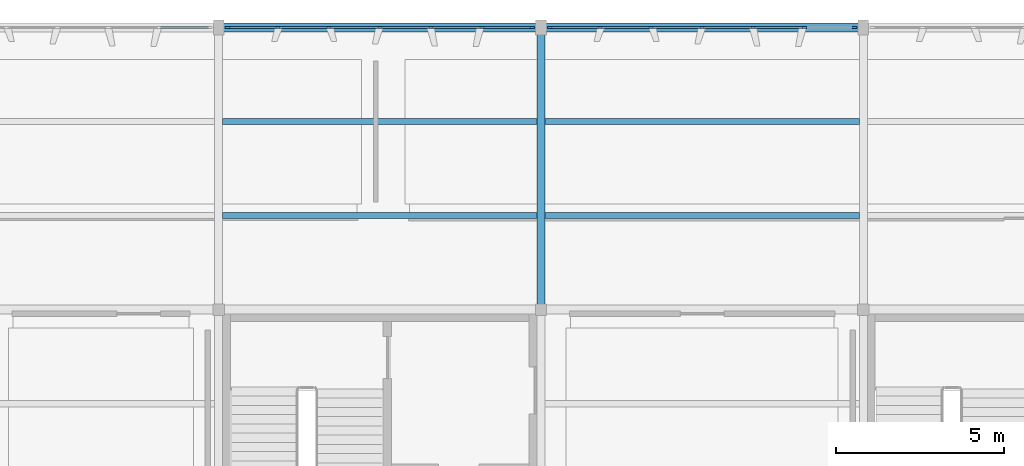
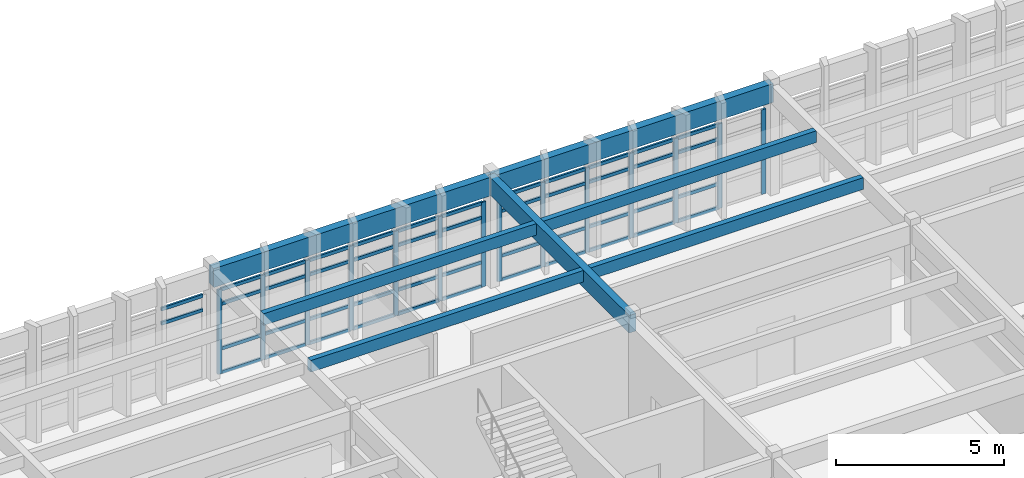
# One storey, part 4 of 14: 60 members, 7 beams, 3 elements without a shape of their own.
"""IFC4 building model written with IfcOpenShell, lengths in metres."""

from ifc_helpers import new_model, si_unit, direction, frame, origin, origin_2d, place, context, subcontext, project, spatial, rectangle, extrude, material, layer, layer_set, material_profile, profile_set, type_object, element, aggregate, save


model = new_model("IFC4")

# Units and contexts
model_context = context("Model", 3, precision=1e-05, world=origin(), true_north=direction((0.0, 1.0)))
body_context = subcontext(model_context, "Body", "Model", "MODEL_VIEW")
ifc_project = project(units=[si_unit("LENGTHUNIT", "METRE"), si_unit("AREAUNIT", "SQUARE_METRE"), si_unit("VOLUMEUNIT", "CUBIC_METRE"), si_unit("PLANEANGLEUNIT", "RADIAN"), si_unit("MASSUNIT", "GRAM", prefix="KILO")], contexts=[model_context])

# Site, building, storey
site_placement = place(None, origin())
site = spatial("IfcSite", under=ifc_project, at=site_placement, CompositionType="ELEMENT")
building_placement = place(site_placement, origin())
building = spatial("IfcBuilding", under=site, at=building_placement, Name="Kolvemor Railside Polytechnic", CompositionType="ELEMENT")
storey_placement = place(building_placement, frame((0.0, 0.0, 22.800048828125)))
storey = spatial("IfcBuildingStorey", under=building, at=storey_placement, Name="L05", CompositionType="ELEMENT", Elevation=22.800048828125)

# Beams
ifc_material_1 = material(Name="Glulam GL28h", Category="wood")
ifc_material_profile_1 = material_profile(ifc_material_1, rectangle(XDim=0.264892578125, YDim=0.679931640625, at=origin_2d()), Name="GL265x680")
ifc_profile_set_1 = profile_set([ifc_material_profile_1], Name="Glulam GL28h")
beam_type_1 = type_object("IfcBeamType", Name="BM-GL-GIRD2", PredefinedType="BEAM", material=ifc_profile_set_1)
for number, where, z_axis, x_axis, name in (
    (1, (86.39990234375, 38.39990234375, 3.6298828125), (1.0, 0.0, 0.0), (0.0, 1.0, 0.0), "Primary Girder L06-GX 1655"),
    (2, (96.0, 38.39990234375, 3.6298828125), (1.0, 0.0, 0.0), (0.0, 1.0, 0.0), "Primary Girder L06-GX 1656"),
):
    element("IfcBeam", number, at=place(storey_placement, frame(where, z_axis=z_axis, x_axis=x_axis)), inside=storey, type_object=beam_type_1, Name=name, PredefinedType="BEAM", context=body_context, shape_type="SweptSolid", body=[
        extrude(rectangle(XDim=0.264892578125, YDim=0.679931640625, at=origin_2d()), origin(), (0.0, 0.0, 1.0), 9.60009765625),
    ])
ifc_material_2 = material(Name="Glulam GL28h", Category="wood")
ifc_material_profile_2 = material_profile(ifc_material_2, rectangle(XDim=0.239990234375, YDim=0.639892578125, at=origin_2d()), Name="GL240x640")
ifc_profile_set_2 = profile_set([ifc_material_profile_2], Name="Glulam GL28h")
beam_type_2 = type_object("IfcBeamType", Name="BM-GL-GIRD5", PredefinedType="BEAM", material=ifc_profile_set_2)
beam_placement = place(storey_placement, frame((96.0, 30.0, 3.64990234375), z_axis=(0.0, 1.0, 0.0), x_axis=(-1.0, 0.0, 0.0)))
element("IfcBeam", 3, at=beam_placement, inside=storey, type_object=beam_type_2, Name="Primary Girder L06-GY 1673", PredefinedType="BEAM", context=body_context, shape_type="SweptSolid", body=[
    extrude(rectangle(XDim=0.239990234375, YDim=0.639892578125, at=origin_2d()), origin(), (0.0, 0.0, 1.0), 8.39990234375),
])
ifc_material_3 = material(Name="Glulam GL28h", Category="wood")
ifc_material_profile_3 = material_profile(ifc_material_3, rectangle(XDim=0.18505859375, YDim=0.419921875, at=origin_2d()), Name="GL185x420")
ifc_profile_set_3 = profile_set([ifc_material_profile_3], Name="Glulam GL28h")
beam_type_3 = type_object("IfcBeamType", Name="BM-GL-JST4", PredefinedType="JOIST", material=ifc_profile_set_3)
for number, where, z_axis, x_axis, name in (
    (4, (86.52001953125, 32.800048828125, 3.760009765625), (1.0, 0.0, 0.0), (0.0, 1.0, 0.0), "Floor Joist L06-J1701"),
    (5, (86.52001953125, 35.60009765625, 3.760009765625), (1.0, 0.0, 0.0), (0.0, 1.0, 0.0), "Floor Joist L06-J1702"),
    (6, (96.1201171875, 32.800048828125, 3.760009765625), (1.0, 0.0, 0.0), (0.0, 1.0, 0.0), "Floor Joist L06-J1707"),
    (7, (96.1201171875, 35.60009765625, 3.760009765625), (1.0, 0.0, 0.0), (0.0, 1.0, 0.0), "Floor Joist L06-J1708"),
):
    element("IfcBeam", number, at=place(storey_placement, frame(where, z_axis=z_axis, x_axis=x_axis)), inside=storey, type_object=beam_type_3, Name=name, PredefinedType="JOIST", context=body_context, shape_type="SweptSolid", body=[
        extrude(rectangle(XDim=0.18505859375, YDim=0.419921875, at=origin_2d()), origin(), (0.0, 0.0, 1.0), 9.35986328125),
    ])

# Curtain wall, members
ifc_material_4 = material(Name="Anodised marine aluminium and laminated low-E glass", Category="aluminium")
ifc_layer = layer(ifc_material_4, 0.179931640625, Name="CW-UNIT-STD")
ifc_layer_set = layer_set([ifc_layer], Name="Anodised marine aluminium and laminated low-E glass")
curtain_wall_type = type_object("IfcCurtainWallType", Name="CW-UNIT-STD", PredefinedType="USERDEFINED", material=ifc_layer_set)
curtain_wall_1_placement = place(storey_placement, origin())
curtain_wall_1 = element("IfcCurtainWall", 8, at=curtain_wall_1_placement, inside=storey, type_object=curtain_wall_type, Name="Curtain Wall L05-138", ObjectType="UNITISED CURTAIN WALL", PredefinedType="USERDEFINED")
ifc_material_5 = material(Name="Anodised marine aluminium 6063-T6", Category="aluminium")
ifc_material_profile_4 = material_profile(ifc_material_5, rectangle(XDim=0.06494140625, YDim=0.14990234375, at=origin_2d()), Name="CW-MUL-65x150")
ifc_profile_set_4 = profile_set([ifc_material_profile_4], Name="Anodised marine aluminium 6063-T6")
member_type_1 = type_object("IfcMemberType", Name="CWM-65x150", PredefinedType="MULLION", material=ifc_profile_set_4)
member_1_placement = place(storey_placement, frame((95.7275390625, 38.39990234375, 0.0), z_axis=(0.0, 0.0, 1.0), x_axis=(0.0, -1.0, 0.0)))
member_1 = element("IfcMember", 9, at=member_1_placement, type_object=member_type_1, Name="CW-STD mullion 1", PredefinedType="MULLION", context=body_context, shape_type="SweptSolid", body=[
    extrude(rectangle(XDim=0.06494140625, YDim=0.14990234375, at=origin_2d()), origin(), (0.0, 0.0, 1.0), 3.070068359375),
])
member_2_placement = place(storey_placement, frame((94.239990234375, 38.39990234375, 0.0), z_axis=(0.0, 0.0, 1.0), x_axis=(0.0, -1.0, 0.0)))
member_2 = element("IfcMember", 10, at=member_2_placement, type_object=member_type_1, Name="CW-STD mullion 2", PredefinedType="MULLION", context=body_context, shape_type="SweptSolid", body=[
    extrude(rectangle(XDim=0.06494140625, YDim=0.14990234375, at=origin_2d()), origin(), (0.0, 0.0, 1.0), 3.070068359375),
])
member_3_placement = place(storey_placement, frame((92.719970703125, 38.39990234375, 0.0), z_axis=(0.0, 0.0, 1.0), x_axis=(0.0, -1.0, 0.0)))
member_3 = element("IfcMember", 11, at=member_3_placement, type_object=member_type_1, Name="CW-STD mullion 3", PredefinedType="MULLION", context=body_context, shape_type="SweptSolid", body=[
    extrude(rectangle(XDim=0.06494140625, YDim=0.14990234375, at=origin_2d()), origin(), (0.0, 0.0, 1.0), 3.070068359375),
])
member_4_placement = place(storey_placement, frame((91.199951171875, 38.39990234375, 0.0), z_axis=(0.0, 0.0, 1.0), x_axis=(0.0, -1.0, 0.0)))
member_4 = element("IfcMember", 12, at=member_4_placement, type_object=member_type_1, Name="CW-STD mullion 4", PredefinedType="MULLION", context=body_context, shape_type="SweptSolid", body=[
    extrude(rectangle(XDim=0.06494140625, YDim=0.14990234375, at=origin_2d()), origin(), (0.0, 0.0, 1.0), 3.070068359375),
])
member_5_placement = place(storey_placement, frame((89.679931640625, 38.39990234375, 0.0), z_axis=(0.0, 0.0, 1.0), x_axis=(0.0, -1.0, 0.0)))
member_5 = element("IfcMember", 13, at=member_5_placement, type_object=member_type_1, Name="CW-STD mullion 5", PredefinedType="MULLION", context=body_context, shape_type="SweptSolid", body=[
    extrude(rectangle(XDim=0.06494140625, YDim=0.14990234375, at=origin_2d()), origin(), (0.0, 0.0, 1.0), 3.070068359375),
])
member_6_placement = place(storey_placement, frame((88.159912109375, 38.39990234375, 0.0), z_axis=(0.0, 0.0, 1.0), x_axis=(0.0, -1.0, 0.0)))
member_6 = element("IfcMember", 14, at=member_6_placement, type_object=member_type_1, Name="CW-STD mullion 6", PredefinedType="MULLION", context=body_context, shape_type="SweptSolid", body=[
    extrude(rectangle(XDim=0.06494140625, YDim=0.14990234375, at=origin_2d()), origin(), (0.0, 0.0, 1.0), 3.070068359375),
])
member_7_placement = place(storey_placement, frame((86.672607421875, 38.39990234375, 0.0), z_axis=(0.0, 0.0, 1.0), x_axis=(0.0, -1.0, 0.0)))
member_7 = element("IfcMember", 15, at=member_7_placement, type_object=member_type_1, Name="CW-STD mullion 7", PredefinedType="MULLION", context=body_context, shape_type="SweptSolid", body=[
    extrude(rectangle(XDim=0.06494140625, YDim=0.14990234375, at=origin_2d()), origin(), (0.0, 0.0, 1.0), 3.070068359375),
])

curtain_wall_2_placement = place(storey_placement, origin())
curtain_wall_2 = element("IfcCurtainWall", 16, at=curtain_wall_2_placement, inside=storey, type_object=curtain_wall_type, Name="Curtain Wall L05-139", ObjectType="UNITISED CURTAIN WALL", PredefinedType="USERDEFINED")
member_8_placement = place(storey_placement, frame((105.327392578125, 38.39990234375, 0.0), z_axis=(0.0, 0.0, 1.0), x_axis=(0.0, -1.0, 0.0)))
member_8 = element("IfcMember", 17, at=member_8_placement, type_object=member_type_1, Name="CW-STD mullion 1", PredefinedType="MULLION", context=body_context, shape_type="SweptSolid", body=[
    extrude(rectangle(XDim=0.06494140625, YDim=0.14990234375, at=origin_2d()), origin(), (0.0, 0.0, 1.0), 3.070068359375),
])
member_9_placement = place(storey_placement, frame((103.840087890625, 38.39990234375, 0.0), z_axis=(0.0, 0.0, 1.0), x_axis=(0.0, -1.0, 0.0)))
member_9 = element("IfcMember", 18, at=member_9_placement, type_object=member_type_1, Name="CW-STD mullion 2", PredefinedType="MULLION", context=body_context, shape_type="SweptSolid", body=[
    extrude(rectangle(XDim=0.06494140625, YDim=0.14990234375, at=origin_2d()), origin(), (0.0, 0.0, 1.0), 3.070068359375),
])
member_10_placement = place(storey_placement, frame((102.320068359375, 38.39990234375, 0.0), z_axis=(0.0, 0.0, 1.0), x_axis=(0.0, -1.0, 0.0)))
member_10 = element("IfcMember", 19, at=member_10_placement, type_object=member_type_1, Name="CW-STD mullion 3", PredefinedType="MULLION", context=body_context, shape_type="SweptSolid", body=[
    extrude(rectangle(XDim=0.06494140625, YDim=0.14990234375, at=origin_2d()), origin(), (0.0, 0.0, 1.0), 3.070068359375),
])
member_11_placement = place(storey_placement, frame((100.800048828125, 38.39990234375, 0.0), z_axis=(0.0, 0.0, 1.0), x_axis=(0.0, -1.0, 0.0)))
member_11 = element("IfcMember", 20, at=member_11_placement, type_object=member_type_1, Name="CW-STD mullion 4", PredefinedType="MULLION", context=body_context, shape_type="SweptSolid", body=[
    extrude(rectangle(XDim=0.06494140625, YDim=0.14990234375, at=origin_2d()), origin(), (0.0, 0.0, 1.0), 3.070068359375),
])
member_12_placement = place(storey_placement, frame((99.280029296875, 38.39990234375, 0.0), z_axis=(0.0, 0.0, 1.0), x_axis=(0.0, -1.0, 0.0)))
member_12 = element("IfcMember", 21, at=member_12_placement, type_object=member_type_1, Name="CW-STD mullion 5", PredefinedType="MULLION", context=body_context, shape_type="SweptSolid", body=[
    extrude(rectangle(XDim=0.06494140625, YDim=0.14990234375, at=origin_2d()), origin(), (0.0, 0.0, 1.0), 3.070068359375),
])
member_13_placement = place(storey_placement, frame((97.760009765625, 38.39990234375, 0.0), z_axis=(0.0, 0.0, 1.0), x_axis=(0.0, -1.0, 0.0)))
member_13 = element("IfcMember", 22, at=member_13_placement, type_object=member_type_1, Name="CW-STD mullion 6", PredefinedType="MULLION", context=body_context, shape_type="SweptSolid", body=[
    extrude(rectangle(XDim=0.06494140625, YDim=0.14990234375, at=origin_2d()), origin(), (0.0, 0.0, 1.0), 3.070068359375),
])
member_14_placement = place(storey_placement, frame((96.2724609375, 38.39990234375, 0.0), z_axis=(0.0, 0.0, 1.0), x_axis=(0.0, -1.0, 0.0)))
member_14 = element("IfcMember", 23, at=member_14_placement, type_object=member_type_1, Name="CW-STD mullion 7", PredefinedType="MULLION", context=body_context, shape_type="SweptSolid", body=[
    extrude(rectangle(XDim=0.06494140625, YDim=0.14990234375, at=origin_2d()), origin(), (0.0, 0.0, 1.0), 3.070068359375),
])

curtain_wall_3_placement = place(storey_placement, origin())
curtain_wall_3 = element("IfcCurtainWall", 24, at=curtain_wall_3_placement, inside=storey, type_object=curtain_wall_type, Name="Curtain Wall L05-137", ObjectType="UNITISED CURTAIN WALL", PredefinedType="USERDEFINED")
ifc_material_6 = material(Name="Anodised marine aluminium 6063-T6", Category="aluminium")
ifc_material_profile_5 = material_profile(ifc_material_6, rectangle(XDim=0.06494140625, YDim=0.1201171875, at=origin_2d()), Name="CW-TRN-65x120")
ifc_profile_set_5 = profile_set([ifc_material_profile_5], Name="Anodised marine aluminium 6063-T6")
member_type_2 = type_object("IfcMemberType", Name="CWT-65x120", PredefinedType="USERDEFINED", material=ifc_profile_set_5)
member_15_placement = place(storey_placement, frame((86.094970703125, 38.39990234375, 2.52001953125), z_axis=(-1.0, 0.0, 0.0), x_axis=(0.0, -1.0, 0.0)))
member_15 = element("IfcMember", 25, at=member_15_placement, type_object=member_type_2, Name="CW-STD transom 1.3", ObjectType="TRANSOM", PredefinedType="USERDEFINED", context=body_context, shape_type="SweptSolid", body=[
    extrude(rectangle(XDim=0.06494140625, YDim=0.1201171875, at=origin_2d()), origin(), (0.0, 0.0, 1.0), 1.42236328125),
])
member_16_placement = place(storey_placement, frame((86.094970703125, 38.39990234375, 3.037353515625), z_axis=(-1.0, 0.0, 0.0), x_axis=(0.0, -1.0, 0.0)))
member_16 = element("IfcMember", 26, at=member_16_placement, type_object=member_type_2, Name="CW-STD transom 1.4", ObjectType="TRANSOM", PredefinedType="USERDEFINED", context=body_context, shape_type="SweptSolid", body=[
    extrude(rectangle(XDim=0.06494140625, YDim=0.1201171875, at=origin_2d()), origin(), (0.0, 0.0, 1.0), 1.42236328125),
])
aggregate(curtain_wall_3, [member_15, member_16])

# Member
member_17_placement = place(storey_placement, frame((95.695068359375, 38.39990234375, 0.032470703125), z_axis=(-1.0, 0.0, 0.0), x_axis=(0.0, -1.0, 0.0)))
member_17 = element("IfcMember", 27, at=member_17_placement, type_object=member_type_2, Name="CW-STD transom 1.1", ObjectType="TRANSOM", PredefinedType="USERDEFINED", context=body_context, shape_type="SweptSolid", body=[
    extrude(rectangle(XDim=0.06494140625, YDim=0.1201171875, at=origin_2d()), origin(), (0.0, 0.0, 1.0), 1.422607421875),
])

member_18_placement = place(storey_placement, frame((95.695068359375, 38.39990234375, 0.89990234375), z_axis=(-1.0, 0.0, 0.0), x_axis=(0.0, -1.0, 0.0)))
member_18 = element("IfcMember", 28, at=member_18_placement, type_object=member_type_2, Name="CW-STD transom 1.2", ObjectType="TRANSOM", PredefinedType="USERDEFINED", context=body_context, shape_type="SweptSolid", body=[
    extrude(rectangle(XDim=0.06494140625, YDim=0.1201171875, at=origin_2d()), origin(), (0.0, 0.0, 1.0), 1.422607421875),
])

member_19_placement = place(storey_placement, frame((95.695068359375, 38.39990234375, 2.52001953125), z_axis=(-1.0, 0.0, 0.0), x_axis=(0.0, -1.0, 0.0)))
member_19 = element("IfcMember", 29, at=member_19_placement, type_object=member_type_2, Name="CW-STD transom 1.3", ObjectType="TRANSOM", PredefinedType="USERDEFINED", context=body_context, shape_type="SweptSolid", body=[
    extrude(rectangle(XDim=0.06494140625, YDim=0.1201171875, at=origin_2d()), origin(), (0.0, 0.0, 1.0), 1.422607421875),
])

member_20_placement = place(storey_placement, frame((95.695068359375, 38.39990234375, 3.037353515625), z_axis=(-1.0, 0.0, 0.0), x_axis=(0.0, -1.0, 0.0)))
member_20 = element("IfcMember", 30, at=member_20_placement, type_object=member_type_2, Name="CW-STD transom 1.4", ObjectType="TRANSOM", PredefinedType="USERDEFINED", context=body_context, shape_type="SweptSolid", body=[
    extrude(rectangle(XDim=0.06494140625, YDim=0.1201171875, at=origin_2d()), origin(), (0.0, 0.0, 1.0), 1.422607421875),
])

member_21_placement = place(storey_placement, frame((94.20751953125, 38.39990234375, 0.032470703125), z_axis=(-1.0, 0.0, 0.0), x_axis=(0.0, -1.0, 0.0)))
member_21 = element("IfcMember", 31, at=member_21_placement, type_object=member_type_2, Name="CW-STD transom 2.1", ObjectType="TRANSOM", PredefinedType="USERDEFINED", context=body_context, shape_type="SweptSolid", body=[
    extrude(rectangle(XDim=0.06494140625, YDim=0.1201171875, at=origin_2d()), origin(), (0.0, 0.0, 1.0), 1.455078125),
])

member_22_placement = place(storey_placement, frame((94.20751953125, 38.39990234375, 0.89990234375), z_axis=(-1.0, 0.0, 0.0), x_axis=(0.0, -1.0, 0.0)))
member_22 = element("IfcMember", 32, at=member_22_placement, type_object=member_type_2, Name="CW-STD transom 2.2", ObjectType="TRANSOM", PredefinedType="USERDEFINED", context=body_context, shape_type="SweptSolid", body=[
    extrude(rectangle(XDim=0.06494140625, YDim=0.1201171875, at=origin_2d()), origin(), (0.0, 0.0, 1.0), 1.455078125),
])

member_23_placement = place(storey_placement, frame((94.20751953125, 38.39990234375, 2.52001953125), z_axis=(-1.0, 0.0, 0.0), x_axis=(0.0, -1.0, 0.0)))
member_23 = element("IfcMember", 33, at=member_23_placement, type_object=member_type_2, Name="CW-STD transom 2.3", ObjectType="TRANSOM", PredefinedType="USERDEFINED", context=body_context, shape_type="SweptSolid", body=[
    extrude(rectangle(XDim=0.06494140625, YDim=0.1201171875, at=origin_2d()), origin(), (0.0, 0.0, 1.0), 1.455078125),
])

member_24_placement = place(storey_placement, frame((94.20751953125, 38.39990234375, 3.037353515625), z_axis=(-1.0, 0.0, 0.0), x_axis=(0.0, -1.0, 0.0)))
member_24 = element("IfcMember", 34, at=member_24_placement, type_object=member_type_2, Name="CW-STD transom 2.4", ObjectType="TRANSOM", PredefinedType="USERDEFINED", context=body_context, shape_type="SweptSolid", body=[
    extrude(rectangle(XDim=0.06494140625, YDim=0.1201171875, at=origin_2d()), origin(), (0.0, 0.0, 1.0), 1.455078125),
])

member_25_placement = place(storey_placement, frame((92.6875, 38.39990234375, 0.032470703125), z_axis=(-1.0, 0.0, 0.0), x_axis=(0.0, -1.0, 0.0)))
member_25 = element("IfcMember", 35, at=member_25_placement, type_object=member_type_2, Name="CW-STD transom 3.1", ObjectType="TRANSOM", PredefinedType="USERDEFINED", context=body_context, shape_type="SweptSolid", body=[
    extrude(rectangle(XDim=0.06494140625, YDim=0.1201171875, at=origin_2d()), origin(), (0.0, 0.0, 1.0), 1.455078125),
])

member_26_placement = place(storey_placement, frame((92.6875, 38.39990234375, 0.89990234375), z_axis=(-1.0, 0.0, 0.0), x_axis=(0.0, -1.0, 0.0)))
member_26 = element("IfcMember", 36, at=member_26_placement, type_object=member_type_2, Name="CW-STD transom 3.2", ObjectType="TRANSOM", PredefinedType="USERDEFINED", context=body_context, shape_type="SweptSolid", body=[
    extrude(rectangle(XDim=0.06494140625, YDim=0.1201171875, at=origin_2d()), origin(), (0.0, 0.0, 1.0), 1.455078125),
])

member_27_placement = place(storey_placement, frame((92.6875, 38.39990234375, 2.52001953125), z_axis=(-1.0, 0.0, 0.0), x_axis=(0.0, -1.0, 0.0)))
member_27 = element("IfcMember", 37, at=member_27_placement, type_object=member_type_2, Name="CW-STD transom 3.3", ObjectType="TRANSOM", PredefinedType="USERDEFINED", context=body_context, shape_type="SweptSolid", body=[
    extrude(rectangle(XDim=0.06494140625, YDim=0.1201171875, at=origin_2d()), origin(), (0.0, 0.0, 1.0), 1.455078125),
])

member_28_placement = place(storey_placement, frame((92.6875, 38.39990234375, 3.037353515625), z_axis=(-1.0, 0.0, 0.0), x_axis=(0.0, -1.0, 0.0)))
member_28 = element("IfcMember", 38, at=member_28_placement, type_object=member_type_2, Name="CW-STD transom 3.4", ObjectType="TRANSOM", PredefinedType="USERDEFINED", context=body_context, shape_type="SweptSolid", body=[
    extrude(rectangle(XDim=0.06494140625, YDim=0.1201171875, at=origin_2d()), origin(), (0.0, 0.0, 1.0), 1.455078125),
])

member_29_placement = place(storey_placement, frame((91.16748046875, 38.39990234375, 0.032470703125), z_axis=(-1.0, 0.0, 0.0), x_axis=(0.0, -1.0, 0.0)))
member_29 = element("IfcMember", 39, at=member_29_placement, type_object=member_type_2, Name="CW-STD transom 4.1", ObjectType="TRANSOM", PredefinedType="USERDEFINED", context=body_context, shape_type="SweptSolid", body=[
    extrude(rectangle(XDim=0.06494140625, YDim=0.1201171875, at=origin_2d()), origin(), (0.0, 0.0, 1.0), 1.455078125),
])

member_30_placement = place(storey_placement, frame((91.16748046875, 38.39990234375, 0.89990234375), z_axis=(-1.0, 0.0, 0.0), x_axis=(0.0, -1.0, 0.0)))
member_30 = element("IfcMember", 40, at=member_30_placement, type_object=member_type_2, Name="CW-STD transom 4.2", ObjectType="TRANSOM", PredefinedType="USERDEFINED", context=body_context, shape_type="SweptSolid", body=[
    extrude(rectangle(XDim=0.06494140625, YDim=0.1201171875, at=origin_2d()), origin(), (0.0, 0.0, 1.0), 1.455078125),
])

member_31_placement = place(storey_placement, frame((91.16748046875, 38.39990234375, 2.52001953125), z_axis=(-1.0, 0.0, 0.0), x_axis=(0.0, -1.0, 0.0)))
member_31 = element("IfcMember", 41, at=member_31_placement, type_object=member_type_2, Name="CW-STD transom 4.3", ObjectType="TRANSOM", PredefinedType="USERDEFINED", context=body_context, shape_type="SweptSolid", body=[
    extrude(rectangle(XDim=0.06494140625, YDim=0.1201171875, at=origin_2d()), origin(), (0.0, 0.0, 1.0), 1.455078125),
])

member_32_placement = place(storey_placement, frame((91.16748046875, 38.39990234375, 3.037353515625), z_axis=(-1.0, 0.0, 0.0), x_axis=(0.0, -1.0, 0.0)))
member_32 = element("IfcMember", 42, at=member_32_placement, type_object=member_type_2, Name="CW-STD transom 4.4", ObjectType="TRANSOM", PredefinedType="USERDEFINED", context=body_context, shape_type="SweptSolid", body=[
    extrude(rectangle(XDim=0.06494140625, YDim=0.1201171875, at=origin_2d()), origin(), (0.0, 0.0, 1.0), 1.455078125),
])

member_33_placement = place(storey_placement, frame((89.6474609375, 38.39990234375, 0.032470703125), z_axis=(-1.0, 0.0, 0.0), x_axis=(0.0, -1.0, 0.0)))
member_33 = element("IfcMember", 43, at=member_33_placement, type_object=member_type_2, Name="CW-STD transom 5.1", ObjectType="TRANSOM", PredefinedType="USERDEFINED", context=body_context, shape_type="SweptSolid", body=[
    extrude(rectangle(XDim=0.06494140625, YDim=0.1201171875, at=origin_2d()), origin(), (0.0, 0.0, 1.0), 1.455078125),
])

member_34_placement = place(storey_placement, frame((89.6474609375, 38.39990234375, 0.89990234375), z_axis=(-1.0, 0.0, 0.0), x_axis=(0.0, -1.0, 0.0)))
member_34 = element("IfcMember", 44, at=member_34_placement, type_object=member_type_2, Name="CW-STD transom 5.2", ObjectType="TRANSOM", PredefinedType="USERDEFINED", context=body_context, shape_type="SweptSolid", body=[
    extrude(rectangle(XDim=0.06494140625, YDim=0.1201171875, at=origin_2d()), origin(), (0.0, 0.0, 1.0), 1.455078125),
])

member_35_placement = place(storey_placement, frame((89.6474609375, 38.39990234375, 2.52001953125), z_axis=(-1.0, 0.0, 0.0), x_axis=(0.0, -1.0, 0.0)))
member_35 = element("IfcMember", 45, at=member_35_placement, type_object=member_type_2, Name="CW-STD transom 5.3", ObjectType="TRANSOM", PredefinedType="USERDEFINED", context=body_context, shape_type="SweptSolid", body=[
    extrude(rectangle(XDim=0.06494140625, YDim=0.1201171875, at=origin_2d()), origin(), (0.0, 0.0, 1.0), 1.455078125),
])

member_36_placement = place(storey_placement, frame((89.6474609375, 38.39990234375, 3.037353515625), z_axis=(-1.0, 0.0, 0.0), x_axis=(0.0, -1.0, 0.0)))
member_36 = element("IfcMember", 46, at=member_36_placement, type_object=member_type_2, Name="CW-STD transom 5.4", ObjectType="TRANSOM", PredefinedType="USERDEFINED", context=body_context, shape_type="SweptSolid", body=[
    extrude(rectangle(XDim=0.06494140625, YDim=0.1201171875, at=origin_2d()), origin(), (0.0, 0.0, 1.0), 1.455078125),
])

member_37_placement = place(storey_placement, frame((88.12744140625, 38.39990234375, 0.032470703125), z_axis=(-1.0, 0.0, 0.0), x_axis=(0.0, -1.0, 0.0)))
member_37 = element("IfcMember", 47, at=member_37_placement, type_object=member_type_2, Name="CW-STD transom 6.1", ObjectType="TRANSOM", PredefinedType="USERDEFINED", context=body_context, shape_type="SweptSolid", body=[
    extrude(rectangle(XDim=0.06494140625, YDim=0.1201171875, at=origin_2d()), origin(), (0.0, 0.0, 1.0), 1.42236328125),
])

member_38_placement = place(storey_placement, frame((88.12744140625, 38.39990234375, 0.89990234375), z_axis=(-1.0, 0.0, 0.0), x_axis=(0.0, -1.0, 0.0)))
member_38 = element("IfcMember", 48, at=member_38_placement, type_object=member_type_2, Name="CW-STD transom 6.2", ObjectType="TRANSOM", PredefinedType="USERDEFINED", context=body_context, shape_type="SweptSolid", body=[
    extrude(rectangle(XDim=0.06494140625, YDim=0.1201171875, at=origin_2d()), origin(), (0.0, 0.0, 1.0), 1.42236328125),
])

member_39_placement = place(storey_placement, frame((88.12744140625, 38.39990234375, 2.52001953125), z_axis=(-1.0, 0.0, 0.0), x_axis=(0.0, -1.0, 0.0)))
member_39 = element("IfcMember", 49, at=member_39_placement, type_object=member_type_2, Name="CW-STD transom 6.3", ObjectType="TRANSOM", PredefinedType="USERDEFINED", context=body_context, shape_type="SweptSolid", body=[
    extrude(rectangle(XDim=0.06494140625, YDim=0.1201171875, at=origin_2d()), origin(), (0.0, 0.0, 1.0), 1.42236328125),
])

member_40_placement = place(storey_placement, frame((88.12744140625, 38.39990234375, 3.037353515625), z_axis=(-1.0, 0.0, 0.0), x_axis=(0.0, -1.0, 0.0)))
member_40 = element("IfcMember", 50, at=member_40_placement, type_object=member_type_2, Name="CW-STD transom 6.4", ObjectType="TRANSOM", PredefinedType="USERDEFINED", context=body_context, shape_type="SweptSolid", body=[
    extrude(rectangle(XDim=0.06494140625, YDim=0.1201171875, at=origin_2d()), origin(), (0.0, 0.0, 1.0), 1.42236328125),
])

aggregate(curtain_wall_1, [member_1, member_2, member_3, member_4, member_5, member_6, member_7, member_17, member_18, member_19, member_20, member_21, member_22, member_23, member_24, member_25, member_26, member_27, member_28, member_29, member_30, member_31, member_32, member_33, member_34, member_35, member_36, member_37, member_38, member_39, member_40])

member_41_placement = place(storey_placement, frame((103.8076171875, 38.39990234375, 0.032470703125), z_axis=(-1.0, 0.0, 0.0), x_axis=(0.0, -1.0, 0.0)))
member_41 = element("IfcMember", 51, at=member_41_placement, type_object=member_type_2, Name="CW-STD transom 2.1", ObjectType="TRANSOM", PredefinedType="USERDEFINED", context=body_context, shape_type="SweptSolid", body=[
    extrude(rectangle(XDim=0.06494140625, YDim=0.1201171875, at=origin_2d()), origin(), (0.0, 0.0, 1.0), 1.455078125),
])

member_42_placement = place(storey_placement, frame((103.8076171875, 38.39990234375, 0.89990234375), z_axis=(-1.0, 0.0, 0.0), x_axis=(0.0, -1.0, 0.0)))
member_42 = element("IfcMember", 52, at=member_42_placement, type_object=member_type_2, Name="CW-STD transom 2.2", ObjectType="TRANSOM", PredefinedType="USERDEFINED", context=body_context, shape_type="SweptSolid", body=[
    extrude(rectangle(XDim=0.06494140625, YDim=0.1201171875, at=origin_2d()), origin(), (0.0, 0.0, 1.0), 1.455078125),
])

member_43_placement = place(storey_placement, frame((103.8076171875, 38.39990234375, 2.52001953125), z_axis=(-1.0, 0.0, 0.0), x_axis=(0.0, -1.0, 0.0)))
member_43 = element("IfcMember", 53, at=member_43_placement, type_object=member_type_2, Name="CW-STD transom 2.3", ObjectType="TRANSOM", PredefinedType="USERDEFINED", context=body_context, shape_type="SweptSolid", body=[
    extrude(rectangle(XDim=0.06494140625, YDim=0.1201171875, at=origin_2d()), origin(), (0.0, 0.0, 1.0), 1.455078125),
])

member_44_placement = place(storey_placement, frame((103.8076171875, 38.39990234375, 3.037353515625), z_axis=(-1.0, 0.0, 0.0), x_axis=(0.0, -1.0, 0.0)))
member_44 = element("IfcMember", 54, at=member_44_placement, type_object=member_type_2, Name="CW-STD transom 2.4", ObjectType="TRANSOM", PredefinedType="USERDEFINED", context=body_context, shape_type="SweptSolid", body=[
    extrude(rectangle(XDim=0.06494140625, YDim=0.1201171875, at=origin_2d()), origin(), (0.0, 0.0, 1.0), 1.455078125),
])

member_45_placement = place(storey_placement, frame((102.28759765625, 38.39990234375, 0.032470703125), z_axis=(-1.0, 0.0, 0.0), x_axis=(0.0, -1.0, 0.0)))
member_45 = element("IfcMember", 55, at=member_45_placement, type_object=member_type_2, Name="CW-STD transom 3.1", ObjectType="TRANSOM", PredefinedType="USERDEFINED", context=body_context, shape_type="SweptSolid", body=[
    extrude(rectangle(XDim=0.06494140625, YDim=0.1201171875, at=origin_2d()), origin(), (0.0, 0.0, 1.0), 1.455078125),
])

member_46_placement = place(storey_placement, frame((102.28759765625, 38.39990234375, 0.89990234375), z_axis=(-1.0, 0.0, 0.0), x_axis=(0.0, -1.0, 0.0)))
member_46 = element("IfcMember", 56, at=member_46_placement, type_object=member_type_2, Name="CW-STD transom 3.2", ObjectType="TRANSOM", PredefinedType="USERDEFINED", context=body_context, shape_type="SweptSolid", body=[
    extrude(rectangle(XDim=0.06494140625, YDim=0.1201171875, at=origin_2d()), origin(), (0.0, 0.0, 1.0), 1.455078125),
])

member_47_placement = place(storey_placement, frame((102.28759765625, 38.39990234375, 2.52001953125), z_axis=(-1.0, 0.0, 0.0), x_axis=(0.0, -1.0, 0.0)))
member_47 = element("IfcMember", 57, at=member_47_placement, type_object=member_type_2, Name="CW-STD transom 3.3", ObjectType="TRANSOM", PredefinedType="USERDEFINED", context=body_context, shape_type="SweptSolid", body=[
    extrude(rectangle(XDim=0.06494140625, YDim=0.1201171875, at=origin_2d()), origin(), (0.0, 0.0, 1.0), 1.455078125),
])

member_48_placement = place(storey_placement, frame((102.28759765625, 38.39990234375, 3.037353515625), z_axis=(-1.0, 0.0, 0.0), x_axis=(0.0, -1.0, 0.0)))
member_48 = element("IfcMember", 58, at=member_48_placement, type_object=member_type_2, Name="CW-STD transom 3.4", ObjectType="TRANSOM", PredefinedType="USERDEFINED", context=body_context, shape_type="SweptSolid", body=[
    extrude(rectangle(XDim=0.06494140625, YDim=0.1201171875, at=origin_2d()), origin(), (0.0, 0.0, 1.0), 1.455078125),
])

member_49_placement = place(storey_placement, frame((100.767578125, 38.39990234375, 0.032470703125), z_axis=(-1.0, 0.0, 0.0), x_axis=(0.0, -1.0, 0.0)))
member_49 = element("IfcMember", 59, at=member_49_placement, type_object=member_type_2, Name="CW-STD transom 4.1", ObjectType="TRANSOM", PredefinedType="USERDEFINED", context=body_context, shape_type="SweptSolid", body=[
    extrude(rectangle(XDim=0.06494140625, YDim=0.1201171875, at=origin_2d()), origin(), (0.0, 0.0, 1.0), 1.455078125),
])

member_50_placement = place(storey_placement, frame((100.767578125, 38.39990234375, 0.89990234375), z_axis=(-1.0, 0.0, 0.0), x_axis=(0.0, -1.0, 0.0)))
member_50 = element("IfcMember", 60, at=member_50_placement, type_object=member_type_2, Name="CW-STD transom 4.2", ObjectType="TRANSOM", PredefinedType="USERDEFINED", context=body_context, shape_type="SweptSolid", body=[
    extrude(rectangle(XDim=0.06494140625, YDim=0.1201171875, at=origin_2d()), origin(), (0.0, 0.0, 1.0), 1.455078125),
])

member_51_placement = place(storey_placement, frame((100.767578125, 38.39990234375, 2.52001953125), z_axis=(-1.0, 0.0, 0.0), x_axis=(0.0, -1.0, 0.0)))
member_51 = element("IfcMember", 61, at=member_51_placement, type_object=member_type_2, Name="CW-STD transom 4.3", ObjectType="TRANSOM", PredefinedType="USERDEFINED", context=body_context, shape_type="SweptSolid", body=[
    extrude(rectangle(XDim=0.06494140625, YDim=0.1201171875, at=origin_2d()), origin(), (0.0, 0.0, 1.0), 1.455078125),
])

member_52_placement = place(storey_placement, frame((100.767578125, 38.39990234375, 3.037353515625), z_axis=(-1.0, 0.0, 0.0), x_axis=(0.0, -1.0, 0.0)))
member_52 = element("IfcMember", 62, at=member_52_placement, type_object=member_type_2, Name="CW-STD transom 4.4", ObjectType="TRANSOM", PredefinedType="USERDEFINED", context=body_context, shape_type="SweptSolid", body=[
    extrude(rectangle(XDim=0.06494140625, YDim=0.1201171875, at=origin_2d()), origin(), (0.0, 0.0, 1.0), 1.455078125),
])

member_53_placement = place(storey_placement, frame((99.24755859375, 38.39990234375, 0.032470703125), z_axis=(-1.0, 0.0, 0.0), x_axis=(0.0, -1.0, 0.0)))
member_53 = element("IfcMember", 63, at=member_53_placement, type_object=member_type_2, Name="CW-STD transom 5.1", ObjectType="TRANSOM", PredefinedType="USERDEFINED", context=body_context, shape_type="SweptSolid", body=[
    extrude(rectangle(XDim=0.06494140625, YDim=0.1201171875, at=origin_2d()), origin(), (0.0, 0.0, 1.0), 1.455078125),
])

member_54_placement = place(storey_placement, frame((99.24755859375, 38.39990234375, 0.89990234375), z_axis=(-1.0, 0.0, 0.0), x_axis=(0.0, -1.0, 0.0)))
member_54 = element("IfcMember", 64, at=member_54_placement, type_object=member_type_2, Name="CW-STD transom 5.2", ObjectType="TRANSOM", PredefinedType="USERDEFINED", context=body_context, shape_type="SweptSolid", body=[
    extrude(rectangle(XDim=0.06494140625, YDim=0.1201171875, at=origin_2d()), origin(), (0.0, 0.0, 1.0), 1.455078125),
])

member_55_placement = place(storey_placement, frame((99.24755859375, 38.39990234375, 2.52001953125), z_axis=(-1.0, 0.0, 0.0), x_axis=(0.0, -1.0, 0.0)))
member_55 = element("IfcMember", 65, at=member_55_placement, type_object=member_type_2, Name="CW-STD transom 5.3", ObjectType="TRANSOM", PredefinedType="USERDEFINED", context=body_context, shape_type="SweptSolid", body=[
    extrude(rectangle(XDim=0.06494140625, YDim=0.1201171875, at=origin_2d()), origin(), (0.0, 0.0, 1.0), 1.455078125),
])

member_56_placement = place(storey_placement, frame((99.24755859375, 38.39990234375, 3.037353515625), z_axis=(-1.0, 0.0, 0.0), x_axis=(0.0, -1.0, 0.0)))
member_56 = element("IfcMember", 66, at=member_56_placement, type_object=member_type_2, Name="CW-STD transom 5.4", ObjectType="TRANSOM", PredefinedType="USERDEFINED", context=body_context, shape_type="SweptSolid", body=[
    extrude(rectangle(XDim=0.06494140625, YDim=0.1201171875, at=origin_2d()), origin(), (0.0, 0.0, 1.0), 1.455078125),
])

member_57_placement = place(storey_placement, frame((97.7275390625, 38.39990234375, 0.032470703125), z_axis=(-1.0, 0.0, 0.0), x_axis=(0.0, -1.0, 0.0)))
member_57 = element("IfcMember", 67, at=member_57_placement, type_object=member_type_2, Name="CW-STD transom 6.1", ObjectType="TRANSOM", PredefinedType="USERDEFINED", context=body_context, shape_type="SweptSolid", body=[
    extrude(rectangle(XDim=0.06494140625, YDim=0.1201171875, at=origin_2d()), origin(), (0.0, 0.0, 1.0), 1.422607421875),
])

member_58_placement = place(storey_placement, frame((97.7275390625, 38.39990234375, 0.89990234375), z_axis=(-1.0, 0.0, 0.0), x_axis=(0.0, -1.0, 0.0)))
member_58 = element("IfcMember", 68, at=member_58_placement, type_object=member_type_2, Name="CW-STD transom 6.2", ObjectType="TRANSOM", PredefinedType="USERDEFINED", context=body_context, shape_type="SweptSolid", body=[
    extrude(rectangle(XDim=0.06494140625, YDim=0.1201171875, at=origin_2d()), origin(), (0.0, 0.0, 1.0), 1.422607421875),
])

member_59_placement = place(storey_placement, frame((97.7275390625, 38.39990234375, 2.52001953125), z_axis=(-1.0, 0.0, 0.0), x_axis=(0.0, -1.0, 0.0)))
member_59 = element("IfcMember", 69, at=member_59_placement, type_object=member_type_2, Name="CW-STD transom 6.3", ObjectType="TRANSOM", PredefinedType="USERDEFINED", context=body_context, shape_type="SweptSolid", body=[
    extrude(rectangle(XDim=0.06494140625, YDim=0.1201171875, at=origin_2d()), origin(), (0.0, 0.0, 1.0), 1.422607421875),
])

member_60_placement = place(storey_placement, frame((97.7275390625, 38.39990234375, 3.037353515625), z_axis=(-1.0, 0.0, 0.0), x_axis=(0.0, -1.0, 0.0)))
member_60 = element("IfcMember", 70, at=member_60_placement, type_object=member_type_2, Name="CW-STD transom 6.4", ObjectType="TRANSOM", PredefinedType="USERDEFINED", context=body_context, shape_type="SweptSolid", body=[
    extrude(rectangle(XDim=0.06494140625, YDim=0.1201171875, at=origin_2d()), origin(), (0.0, 0.0, 1.0), 1.422607421875),
])

aggregate(curtain_wall_2, [member_8, member_9, member_10, member_11, member_12, member_13, member_14, member_41, member_42, member_43, member_44, member_45, member_46, member_47, member_48, member_49, member_50, member_51, member_52, member_53, member_54, member_55, member_56, member_57, member_58, member_59, member_60])

save(model, "model.ifc")
